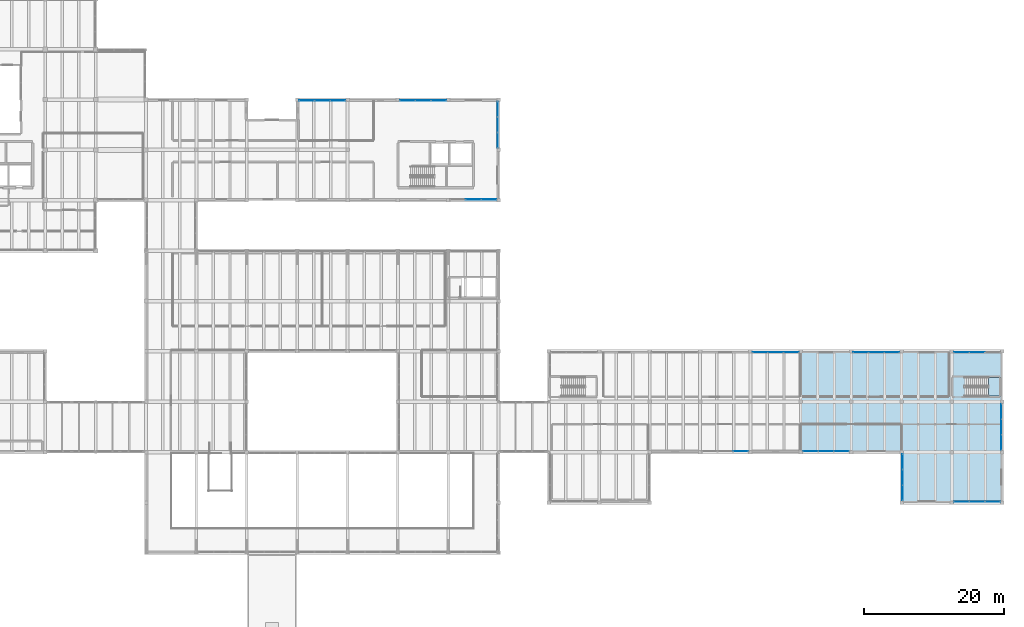
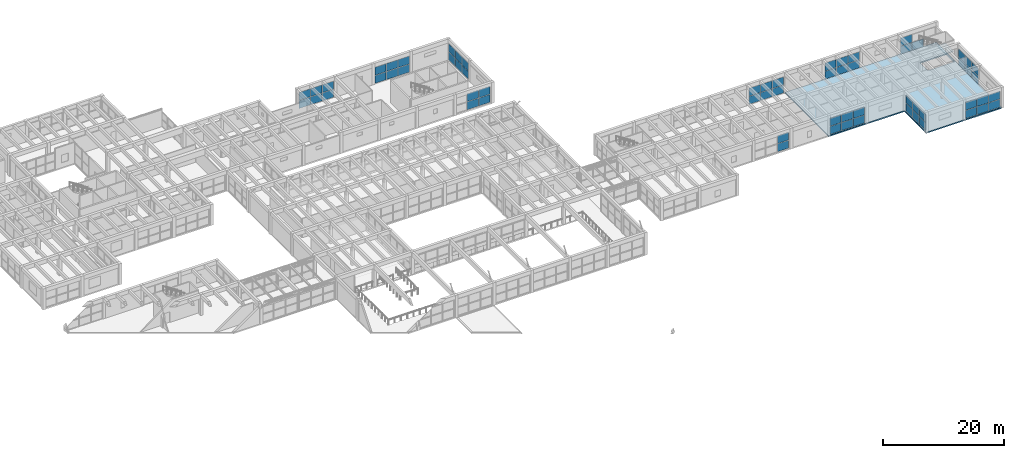
# One storey, part 124 of 153: 63 plates, 2 slabs, 13 elements without a shape of their own.
"""IFC4 building model written with IfcOpenShell, lengths in metres."""

from ifc_helpers import new_model, si_unit, direction, frame, origin, origin_2d, place, context, subcontext, project, spatial, polyline, rectangle, outline, extrude, material, layer, layer_set, type_object, element, aggregate, save


model = new_model("IFC4")

# Units and contexts
model_context = context("Model", 3, precision=1e-05, world=origin(), true_north=direction((0.0, 1.0)))
body_context = subcontext(model_context, "Body", "Model", "MODEL_VIEW")
ifc_project = project(units=[si_unit("LENGTHUNIT", "METRE"), si_unit("AREAUNIT", "SQUARE_METRE"), si_unit("VOLUMEUNIT", "CUBIC_METRE"), si_unit("PLANEANGLEUNIT", "RADIAN"), si_unit("MASSUNIT", "GRAM", prefix="KILO")], contexts=[model_context])

# Site, building, storey
site_placement = place(None, origin())
site = spatial("IfcSite", under=ifc_project, at=site_placement, CompositionType="ELEMENT")
building_placement = place(site_placement, origin())
building = spatial("IfcBuilding", under=site, at=building_placement, Name="Bramvelor Terrace Health Centre", CompositionType="ELEMENT")
storey_placement = place(building_placement, frame((0.0, 0.0, 4.800048828125)))
storey = spatial("IfcBuildingStorey", under=building, at=storey_placement, Name="L02", CompositionType="ELEMENT", Elevation=4.800048828125)

# Curtain wall, plates
ifc_material_1 = material(Name="Anodized aluminium and double low-E glass", Category="aluminium")
curtain_wall_type = type_object("IfcCurtainWallType", Name="CW-SYS-16", PredefinedType="NOTDEFINED", material=ifc_material_1)
curtain_wall_1_placement = place(storey_placement, origin())
curtain_wall_1 = element("IfcCurtainWall", 1, at=curtain_wall_1_placement, inside=storey, type_object=curtain_wall_type, Name="L02 Unitized Curtain Wall 86", PredefinedType="NOTDEFINED")
ifc_material_2 = material(Name="Double low-E laminated glass", Category="glass")
ifc_layer_1 = layer(ifc_material_2, 0.028076171875)
ifc_layer_set_1 = layer_set([ifc_layer_1], Name="Double low-E laminated glass")
plate_type = type_object("IfcPlateType", Name="CW-PNL-GLZ28", PredefinedType="CURTAIN_PANEL", material=ifc_layer_set_1)
plate_1_placement = place(storey_placement, frame((66.18212890625, 100.669921875, 0.06494140625), z_axis=(0.0, 0.0, 1.0), x_axis=(1.0, 0.0, 0.0)))
plate_1 = element("IfcPlate", 2, at=plate_1_placement, type_object=plate_type, Name="CW-16 panel 1.1", PredefinedType="CURTAIN_PANEL", context=body_context, shape_type="SweptSolid", body=[
    extrude(rectangle(XDim=2.124267578125, YDim=0.028076171875, at=origin_2d()), origin(), (0.0, 0.0, 1.0), 1.58251953125),
])
plate_2_placement = place(storey_placement, frame((66.18212890625, 100.669921875, 1.71240234375), z_axis=(0.0, 0.0, 1.0), x_axis=(1.0, 0.0, 0.0)))
plate_2 = element("IfcPlate", 3, at=plate_2_placement, type_object=plate_type, Name="CW-16 panel 1.2", PredefinedType="CURTAIN_PANEL", context=body_context, shape_type="SweptSolid", body=[
    extrude(rectangle(XDim=2.124267578125, YDim=0.028076171875, at=origin_2d()), origin(), (0.0, 0.0, 1.0), 1.58251953125),
])
plate_3_placement = place(storey_placement, frame((68.39990234375, 100.669921875, 0.06494140625), z_axis=(0.0, 0.0, 1.0), x_axis=(1.0, 0.0, 0.0)))
plate_3 = element("IfcPlate", 4, at=plate_3_placement, type_object=plate_type, Name="CW-16 panel 2.1", PredefinedType="CURTAIN_PANEL", context=body_context, shape_type="SweptSolid", body=[
    extrude(rectangle(XDim=2.16162109375, YDim=0.028076171875, at=origin_2d()), origin(), (0.0, 0.0, 1.0), 1.58251953125),
])
plate_4_placement = place(storey_placement, frame((68.39990234375, 100.669921875, 1.71240234375), z_axis=(0.0, 0.0, 1.0), x_axis=(1.0, 0.0, 0.0)))
plate_4 = element("IfcPlate", 5, at=plate_4_placement, type_object=plate_type, Name="CW-16 panel 2.2", PredefinedType="CURTAIN_PANEL", context=body_context, shape_type="SweptSolid", body=[
    extrude(rectangle(XDim=2.16162109375, YDim=0.028076171875, at=origin_2d()), origin(), (0.0, 0.0, 1.0), 1.58251953125),
])
plate_5_placement = place(storey_placement, frame((70.617919921875, 100.669921875, 0.06494140625), z_axis=(0.0, 0.0, 1.0), x_axis=(1.0, 0.0, 0.0)))
plate_5 = element("IfcPlate", 6, at=plate_5_placement, type_object=plate_type, Name="CW-16 panel 3.1", PredefinedType="CURTAIN_PANEL", context=body_context, shape_type="SweptSolid", body=[
    extrude(rectangle(XDim=2.124267578125, YDim=0.028076171875, at=origin_2d()), origin(), (0.0, 0.0, 1.0), 1.58251953125),
])
plate_6_placement = place(storey_placement, frame((70.617919921875, 100.669921875, 1.71240234375), z_axis=(0.0, 0.0, 1.0), x_axis=(1.0, 0.0, 0.0)))
plate_6 = element("IfcPlate", 7, at=plate_6_placement, type_object=plate_type, Name="CW-16 panel 3.2", PredefinedType="CURTAIN_PANEL", context=body_context, shape_type="SweptSolid", body=[
    extrude(rectangle(XDim=2.124267578125, YDim=0.028076171875, at=origin_2d()), origin(), (0.0, 0.0, 1.0), 1.58251953125),
])
aggregate(curtain_wall_1, [plate_1, plate_2, plate_3, plate_4, plate_5, plate_6])

curtain_wall_2_placement = place(storey_placement, origin())
curtain_wall_2 = element("IfcCurtainWall", 8, at=curtain_wall_2_placement, inside=storey, type_object=curtain_wall_type, Name="L02 Unitized Curtain Wall 87", PredefinedType="NOTDEFINED")
plate_7_placement = place(storey_placement, frame((80.58203125, 100.669921875, 0.06494140625), z_axis=(0.0, 0.0, 1.0), x_axis=(1.0, 0.0, 0.0)))
plate_7 = element("IfcPlate", 9, at=plate_7_placement, type_object=plate_type, Name="CW-16 panel 1.1", PredefinedType="CURTAIN_PANEL", context=body_context, shape_type="SweptSolid", body=[
    extrude(rectangle(XDim=2.124267578125, YDim=0.028076171875, at=origin_2d()), origin(), (0.0, 0.0, 1.0), 1.58251953125),
])
plate_8_placement = place(storey_placement, frame((80.58203125, 100.669921875, 1.71240234375), z_axis=(0.0, 0.0, 1.0), x_axis=(1.0, 0.0, 0.0)))
plate_8 = element("IfcPlate", 10, at=plate_8_placement, type_object=plate_type, Name="CW-16 panel 1.2", PredefinedType="CURTAIN_PANEL", context=body_context, shape_type="SweptSolid", body=[
    extrude(rectangle(XDim=2.124267578125, YDim=0.028076171875, at=origin_2d()), origin(), (0.0, 0.0, 1.0), 1.58251953125),
])
plate_9_placement = place(storey_placement, frame((82.800048828125, 100.669921875, 0.06494140625), z_axis=(0.0, 0.0, 1.0), x_axis=(1.0, 0.0, 0.0)))
plate_9 = element("IfcPlate", 11, at=plate_9_placement, type_object=plate_type, Name="CW-16 panel 2.1", PredefinedType="CURTAIN_PANEL", context=body_context, shape_type="SweptSolid", body=[
    extrude(rectangle(XDim=2.16162109375, YDim=0.028076171875, at=origin_2d()), origin(), (0.0, 0.0, 1.0), 1.58251953125),
])
plate_10_placement = place(storey_placement, frame((82.800048828125, 100.669921875, 1.71240234375), z_axis=(0.0, 0.0, 1.0), x_axis=(1.0, 0.0, 0.0)))
plate_10 = element("IfcPlate", 12, at=plate_10_placement, type_object=plate_type, Name="CW-16 panel 2.2", PredefinedType="CURTAIN_PANEL", context=body_context, shape_type="SweptSolid", body=[
    extrude(rectangle(XDim=2.16162109375, YDim=0.028076171875, at=origin_2d()), origin(), (0.0, 0.0, 1.0), 1.58251953125),
])
plate_11_placement = place(storey_placement, frame((85.017822265625, 100.669921875, 0.06494140625), z_axis=(0.0, 0.0, 1.0), x_axis=(1.0, 0.0, 0.0)))
plate_11 = element("IfcPlate", 13, at=plate_11_placement, type_object=plate_type, Name="CW-16 panel 3.1", PredefinedType="CURTAIN_PANEL", context=body_context, shape_type="SweptSolid", body=[
    extrude(rectangle(XDim=2.124267578125, YDim=0.028076171875, at=origin_2d()), origin(), (0.0, 0.0, 1.0), 1.58251953125),
])
plate_12_placement = place(storey_placement, frame((85.017822265625, 100.669921875, 1.71240234375), z_axis=(0.0, 0.0, 1.0), x_axis=(1.0, 0.0, 0.0)))
plate_12 = element("IfcPlate", 14, at=plate_12_placement, type_object=plate_type, Name="CW-16 panel 3.2", PredefinedType="CURTAIN_PANEL", context=body_context, shape_type="SweptSolid", body=[
    extrude(rectangle(XDim=2.124267578125, YDim=0.028076171875, at=origin_2d()), origin(), (0.0, 0.0, 1.0), 1.58251953125),
])
aggregate(curtain_wall_2, [plate_7, plate_8, plate_9, plate_10, plate_11, plate_12])

curtain_wall_3_placement = place(storey_placement, origin())
curtain_wall_3 = element("IfcCurtainWall", 15, at=curtain_wall_3_placement, inside=storey, type_object=curtain_wall_type, Name="L02 Unitized Curtain Wall 88", PredefinedType="NOTDEFINED")
plate_13_placement = place(storey_placement, frame((93.469970703125, 99.41796875, 0.06494140625), z_axis=(0.0, 0.0, 1.0), x_axis=(0.0, -1.0, 0.0)))
plate_13 = element("IfcPlate", 16, at=plate_13_placement, type_object=plate_type, Name="CW-16 panel 1.1", PredefinedType="CURTAIN_PANEL", context=body_context, shape_type="SweptSolid", body=[
    extrude(rectangle(XDim=2.124267578125, YDim=0.028076171875, at=origin_2d()), origin(), (0.0, 0.0, 1.0), 1.58251953125),
])
plate_14_placement = place(storey_placement, frame((93.469970703125, 99.41796875, 1.71240234375), z_axis=(0.0, 0.0, 1.0), x_axis=(0.0, -1.0, 0.0)))
plate_14 = element("IfcPlate", 17, at=plate_14_placement, type_object=plate_type, Name="CW-16 panel 1.2", PredefinedType="CURTAIN_PANEL", context=body_context, shape_type="SweptSolid", body=[
    extrude(rectangle(XDim=2.124267578125, YDim=0.028076171875, at=origin_2d()), origin(), (0.0, 0.0, 1.0), 1.58251953125),
])
plate_15_placement = place(storey_placement, frame((93.469970703125, 97.199951171875, 0.06494140625), z_axis=(0.0, 0.0, 1.0), x_axis=(0.0, -1.0, 0.0)))
plate_15 = element("IfcPlate", 18, at=plate_15_placement, type_object=plate_type, Name="CW-16 panel 2.1", PredefinedType="CURTAIN_PANEL", context=body_context, shape_type="SweptSolid", body=[
    extrude(rectangle(XDim=2.16162109375, YDim=0.028076171875, at=origin_2d()), origin(), (0.0, 0.0, 1.0), 1.58251953125),
])
plate_16_placement = place(storey_placement, frame((93.469970703125, 97.199951171875, 1.71240234375), z_axis=(0.0, 0.0, 1.0), x_axis=(0.0, -1.0, 0.0)))
plate_16 = element("IfcPlate", 19, at=plate_16_placement, type_object=plate_type, Name="CW-16 panel 2.2", PredefinedType="CURTAIN_PANEL", context=body_context, shape_type="SweptSolid", body=[
    extrude(rectangle(XDim=2.16162109375, YDim=0.028076171875, at=origin_2d()), origin(), (0.0, 0.0, 1.0), 1.58251953125),
])
plate_17_placement = place(storey_placement, frame((93.469970703125, 94.982177734375, 0.06494140625), z_axis=(0.0, 0.0, 1.0), x_axis=(0.0, -1.0, 0.0)))
plate_17 = element("IfcPlate", 20, at=plate_17_placement, type_object=plate_type, Name="CW-16 panel 3.1", PredefinedType="CURTAIN_PANEL", context=body_context, shape_type="SweptSolid", body=[
    extrude(rectangle(XDim=2.124267578125, YDim=0.028076171875, at=origin_2d()), origin(), (0.0, 0.0, 1.0), 1.58251953125),
])
plate_18_placement = place(storey_placement, frame((93.469970703125, 94.982177734375, 1.71240234375), z_axis=(0.0, 0.0, 1.0), x_axis=(0.0, -1.0, 0.0)))
plate_18 = element("IfcPlate", 21, at=plate_18_placement, type_object=plate_type, Name="CW-16 panel 3.2", PredefinedType="CURTAIN_PANEL", context=body_context, shape_type="SweptSolid", body=[
    extrude(rectangle(XDim=2.124267578125, YDim=0.028076171875, at=origin_2d()), origin(), (0.0, 0.0, 1.0), 1.58251953125),
])
aggregate(curtain_wall_3, [plate_13, plate_14, plate_15, plate_16, plate_17, plate_18])

curtain_wall_4_placement = place(storey_placement, origin())
curtain_wall_4 = element("IfcCurtainWall", 22, at=curtain_wall_4_placement, inside=storey, type_object=curtain_wall_type, Name="L02 Unitized Curtain Wall 89", PredefinedType="NOTDEFINED")
plate_19_placement = place(storey_placement, frame((92.218017578125, 86.530029296875, 0.06494140625), z_axis=(0.0, 0.0, 1.0), x_axis=(-1.0, 0.0, 0.0)))
plate_19 = element("IfcPlate", 23, at=plate_19_placement, type_object=plate_type, Name="CW-16 panel 1.1", PredefinedType="CURTAIN_PANEL", context=body_context, shape_type="SweptSolid", body=[
    extrude(rectangle(XDim=2.124267578125, YDim=0.028076171875, at=origin_2d()), origin(), (0.0, 0.0, 1.0), 1.58251953125),
])
plate_20_placement = place(storey_placement, frame((92.218017578125, 86.530029296875, 1.71240234375), z_axis=(0.0, 0.0, 1.0), x_axis=(-1.0, 0.0, 0.0)))
plate_20 = element("IfcPlate", 24, at=plate_20_placement, type_object=plate_type, Name="CW-16 panel 1.2", PredefinedType="CURTAIN_PANEL", context=body_context, shape_type="SweptSolid", body=[
    extrude(rectangle(XDim=2.124267578125, YDim=0.028076171875, at=origin_2d()), origin(), (0.0, 0.0, 1.0), 1.58251953125),
])
plate_21_placement = place(storey_placement, frame((90.0, 86.530029296875, 0.06494140625), z_axis=(0.0, 0.0, 1.0), x_axis=(-1.0, 0.0, 0.0)))
plate_21 = element("IfcPlate", 25, at=plate_21_placement, type_object=plate_type, Name="CW-16 panel 2.1", PredefinedType="CURTAIN_PANEL", context=body_context, shape_type="SweptSolid", body=[
    extrude(rectangle(XDim=2.16162109375, YDim=0.028076171875, at=origin_2d()), origin(), (0.0, 0.0, 1.0), 1.58251953125),
])
plate_22_placement = place(storey_placement, frame((90.0, 86.530029296875, 1.71240234375), z_axis=(0.0, 0.0, 1.0), x_axis=(-1.0, 0.0, 0.0)))
plate_22 = element("IfcPlate", 26, at=plate_22_placement, type_object=plate_type, Name="CW-16 panel 2.2", PredefinedType="CURTAIN_PANEL", context=body_context, shape_type="SweptSolid", body=[
    extrude(rectangle(XDim=2.16162109375, YDim=0.028076171875, at=origin_2d()), origin(), (0.0, 0.0, 1.0), 1.58251953125),
])
aggregate(curtain_wall_4, [plate_19, plate_20, plate_21, plate_22])

curtain_wall_5_placement = place(storey_placement, origin())
curtain_wall_5 = element("IfcCurtainWall", 27, at=curtain_wall_5_placement, inside=storey, type_object=curtain_wall_type, Name="L02 Unitized Curtain Wall 103", PredefinedType="NOTDEFINED")
plate_23_placement = place(storey_placement, frame((130.982177734375, 64.669921875, 0.06494140625), z_axis=(0.0, 0.0, 1.0), x_axis=(1.0, 0.0, 0.0)))
plate_23 = element("IfcPlate", 28, at=plate_23_placement, type_object=plate_type, Name="CW-16 panel 1.1", PredefinedType="CURTAIN_PANEL", context=body_context, shape_type="SweptSolid", body=[
    extrude(rectangle(XDim=2.124267578125, YDim=0.028076171875, at=origin_2d()), origin(), (0.0, 0.0, 1.0), 1.58251953125),
])
plate_24_placement = place(storey_placement, frame((130.982177734375, 64.669921875, 1.71240234375), z_axis=(0.0, 0.0, 1.0), x_axis=(1.0, 0.0, 0.0)))
plate_24 = element("IfcPlate", 29, at=plate_24_placement, type_object=plate_type, Name="CW-16 panel 1.2", PredefinedType="CURTAIN_PANEL", context=body_context, shape_type="SweptSolid", body=[
    extrude(rectangle(XDim=2.124267578125, YDim=0.028076171875, at=origin_2d()), origin(), (0.0, 0.0, 1.0), 1.58251953125),
])
plate_25_placement = place(storey_placement, frame((133.199951171875, 64.669921875, 0.06494140625), z_axis=(0.0, 0.0, 1.0), x_axis=(1.0, 0.0, 0.0)))
plate_25 = element("IfcPlate", 30, at=plate_25_placement, type_object=plate_type, Name="CW-16 panel 2.1", PredefinedType="CURTAIN_PANEL", context=body_context, shape_type="SweptSolid", body=[
    extrude(rectangle(XDim=2.16162109375, YDim=0.028076171875, at=origin_2d()), origin(), (0.0, 0.0, 1.0), 1.58251953125),
])
plate_26_placement = place(storey_placement, frame((133.199951171875, 64.669921875, 1.71240234375), z_axis=(0.0, 0.0, 1.0), x_axis=(1.0, 0.0, 0.0)))
plate_26 = element("IfcPlate", 31, at=plate_26_placement, type_object=plate_type, Name="CW-16 panel 2.2", PredefinedType="CURTAIN_PANEL", context=body_context, shape_type="SweptSolid", body=[
    extrude(rectangle(XDim=2.16162109375, YDim=0.028076171875, at=origin_2d()), origin(), (0.0, 0.0, 1.0), 1.58251953125),
])
plate_27_placement = place(storey_placement, frame((135.41796875, 64.669921875, 0.06494140625), z_axis=(0.0, 0.0, 1.0), x_axis=(1.0, 0.0, 0.0)))
plate_27 = element("IfcPlate", 32, at=plate_27_placement, type_object=plate_type, Name="CW-16 panel 3.1", PredefinedType="CURTAIN_PANEL", context=body_context, shape_type="SweptSolid", body=[
    extrude(rectangle(XDim=2.124267578125, YDim=0.028076171875, at=origin_2d()), origin(), (0.0, 0.0, 1.0), 1.58251953125),
])
plate_28_placement = place(storey_placement, frame((135.41796875, 64.669921875, 1.71240234375), z_axis=(0.0, 0.0, 1.0), x_axis=(1.0, 0.0, 0.0)))
plate_28 = element("IfcPlate", 33, at=plate_28_placement, type_object=plate_type, Name="CW-16 panel 3.2", PredefinedType="CURTAIN_PANEL", context=body_context, shape_type="SweptSolid", body=[
    extrude(rectangle(XDim=2.124267578125, YDim=0.028076171875, at=origin_2d()), origin(), (0.0, 0.0, 1.0), 1.58251953125),
])
aggregate(curtain_wall_5, [plate_23, plate_24, plate_25, plate_26, plate_27, plate_28])

curtain_wall_6_placement = place(storey_placement, origin())
curtain_wall_6 = element("IfcCurtainWall", 34, at=curtain_wall_6_placement, inside=storey, type_object=curtain_wall_type, Name="L02 Unitized Curtain Wall 104", PredefinedType="NOTDEFINED")
plate_29_placement = place(storey_placement, frame((145.382080078125, 64.669921875, 0.06494140625), z_axis=(0.0, 0.0, 1.0), x_axis=(1.0, 0.0, 0.0)))
plate_29 = element("IfcPlate", 35, at=plate_29_placement, type_object=plate_type, Name="CW-16 panel 1.1", PredefinedType="CURTAIN_PANEL", context=body_context, shape_type="SweptSolid", body=[
    extrude(rectangle(XDim=2.124267578125, YDim=0.028076171875, at=origin_2d()), origin(), (0.0, 0.0, 1.0), 1.58251953125),
])
plate_30_placement = place(storey_placement, frame((145.382080078125, 64.669921875, 1.71240234375), z_axis=(0.0, 0.0, 1.0), x_axis=(1.0, 0.0, 0.0)))
plate_30 = element("IfcPlate", 36, at=plate_30_placement, type_object=plate_type, Name="CW-16 panel 1.2", PredefinedType="CURTAIN_PANEL", context=body_context, shape_type="SweptSolid", body=[
    extrude(rectangle(XDim=2.124267578125, YDim=0.028076171875, at=origin_2d()), origin(), (0.0, 0.0, 1.0), 1.58251953125),
])
plate_31_placement = place(storey_placement, frame((147.60009765625, 64.669921875, 0.06494140625), z_axis=(0.0, 0.0, 1.0), x_axis=(1.0, 0.0, 0.0)))
plate_31 = element("IfcPlate", 37, at=plate_31_placement, type_object=plate_type, Name="CW-16 panel 2.1", PredefinedType="CURTAIN_PANEL", context=body_context, shape_type="SweptSolid", body=[
    extrude(rectangle(XDim=2.16162109375, YDim=0.028076171875, at=origin_2d()), origin(), (0.0, 0.0, 1.0), 1.58251953125),
])
plate_32_placement = place(storey_placement, frame((147.60009765625, 64.669921875, 1.71240234375), z_axis=(0.0, 0.0, 1.0), x_axis=(1.0, 0.0, 0.0)))
plate_32 = element("IfcPlate", 38, at=plate_32_placement, type_object=plate_type, Name="CW-16 panel 2.2", PredefinedType="CURTAIN_PANEL", context=body_context, shape_type="SweptSolid", body=[
    extrude(rectangle(XDim=2.16162109375, YDim=0.028076171875, at=origin_2d()), origin(), (0.0, 0.0, 1.0), 1.58251953125),
])
plate_33_placement = place(storey_placement, frame((149.81787109375, 64.669921875, 0.06494140625), z_axis=(0.0, 0.0, 1.0), x_axis=(1.0, 0.0, 0.0)))
plate_33 = element("IfcPlate", 39, at=plate_33_placement, type_object=plate_type, Name="CW-16 panel 3.1", PredefinedType="CURTAIN_PANEL", context=body_context, shape_type="SweptSolid", body=[
    extrude(rectangle(XDim=2.124267578125, YDim=0.028076171875, at=origin_2d()), origin(), (0.0, 0.0, 1.0), 1.58251953125),
])
plate_34_placement = place(storey_placement, frame((149.81787109375, 64.669921875, 1.71240234375), z_axis=(0.0, 0.0, 1.0), x_axis=(1.0, 0.0, 0.0)))
plate_34 = element("IfcPlate", 40, at=plate_34_placement, type_object=plate_type, Name="CW-16 panel 3.2", PredefinedType="CURTAIN_PANEL", context=body_context, shape_type="SweptSolid", body=[
    extrude(rectangle(XDim=2.124267578125, YDim=0.028076171875, at=origin_2d()), origin(), (0.0, 0.0, 1.0), 1.58251953125),
])
aggregate(curtain_wall_6, [plate_29, plate_30, plate_31, plate_32, plate_33, plate_34])

curtain_wall_7_placement = place(storey_placement, origin())
curtain_wall_7 = element("IfcCurtainWall", 41, at=curtain_wall_7_placement, inside=storey, type_object=curtain_wall_type, Name="L02 Unitized Curtain Wall 105", PredefinedType="NOTDEFINED")
plate_35_placement = place(storey_placement, frame((159.781982421875, 64.669921875, 0.06494140625), z_axis=(0.0, 0.0, 1.0), x_axis=(1.0, 0.0, 0.0)))
plate_35 = element("IfcPlate", 42, at=plate_35_placement, type_object=plate_type, Name="CW-16 panel 1.1", PredefinedType="CURTAIN_PANEL", context=body_context, shape_type="SweptSolid", body=[
    extrude(rectangle(XDim=2.124267578125, YDim=0.028076171875, at=origin_2d()), origin(), (0.0, 0.0, 1.0), 1.58251953125),
])
plate_36_placement = place(storey_placement, frame((159.781982421875, 64.669921875, 1.71240234375), z_axis=(0.0, 0.0, 1.0), x_axis=(1.0, 0.0, 0.0)))
plate_36 = element("IfcPlate", 43, at=plate_36_placement, type_object=plate_type, Name="CW-16 panel 1.2", PredefinedType="CURTAIN_PANEL", context=body_context, shape_type="SweptSolid", body=[
    extrude(rectangle(XDim=2.124267578125, YDim=0.028076171875, at=origin_2d()), origin(), (0.0, 0.0, 1.0), 1.58251953125),
])
plate_37_placement = place(storey_placement, frame((162.0, 64.669921875, 0.06494140625), z_axis=(0.0, 0.0, 1.0), x_axis=(1.0, 0.0, 0.0)))
plate_37 = element("IfcPlate", 44, at=plate_37_placement, type_object=plate_type, Name="CW-16 panel 2.1", PredefinedType="CURTAIN_PANEL", context=body_context, shape_type="SweptSolid", body=[
    extrude(rectangle(XDim=2.16162109375, YDim=0.028076171875, at=origin_2d()), origin(), (0.0, 0.0, 1.0), 1.58251953125),
])
aggregate(curtain_wall_7, [plate_35, plate_36, plate_37])

curtain_wall_8_placement = place(storey_placement, origin())
curtain_wall_8 = element("IfcCurtainWall", 45, at=curtain_wall_8_placement, inside=storey, type_object=curtain_wall_type, Name="L02 Unitized Curtain Wall 106", PredefinedType="NOTDEFINED")
plate_38_placement = place(storey_placement, frame((165.469970703125, 56.218017578125, 0.06494140625), z_axis=(0.0, 0.0, 1.0), x_axis=(0.0, -1.0, 0.0)))
plate_38 = element("IfcPlate", 46, at=plate_38_placement, type_object=plate_type, Name="CW-16 panel 1.1", PredefinedType="CURTAIN_PANEL", context=body_context, shape_type="SweptSolid", body=[
    extrude(rectangle(XDim=2.124267578125, YDim=0.028076171875, at=origin_2d()), origin(), (0.0, 0.0, 1.0), 1.58251953125),
])
plate_39_placement = place(storey_placement, frame((165.469970703125, 56.218017578125, 1.71240234375), z_axis=(0.0, 0.0, 1.0), x_axis=(0.0, -1.0, 0.0)))
plate_39 = element("IfcPlate", 47, at=plate_39_placement, type_object=plate_type, Name="CW-16 panel 1.2", PredefinedType="CURTAIN_PANEL", context=body_context, shape_type="SweptSolid", body=[
    extrude(rectangle(XDim=2.124267578125, YDim=0.028076171875, at=origin_2d()), origin(), (0.0, 0.0, 1.0), 1.58251953125),
])
plate_40_placement = place(storey_placement, frame((165.469970703125, 54.0, 0.06494140625), z_axis=(0.0, 0.0, 1.0), x_axis=(0.0, -1.0, 0.0)))
plate_40 = element("IfcPlate", 48, at=plate_40_placement, type_object=plate_type, Name="CW-16 panel 2.1", PredefinedType="CURTAIN_PANEL", context=body_context, shape_type="SweptSolid", body=[
    extrude(rectangle(XDim=2.16162109375, YDim=0.028076171875, at=origin_2d()), origin(), (0.0, 0.0, 1.0), 1.58251953125),
])
plate_41_placement = place(storey_placement, frame((165.469970703125, 54.0, 1.71240234375), z_axis=(0.0, 0.0, 1.0), x_axis=(0.0, -1.0, 0.0)))
plate_41 = element("IfcPlate", 49, at=plate_41_placement, type_object=plate_type, Name="CW-16 panel 2.2", PredefinedType="CURTAIN_PANEL", context=body_context, shape_type="SweptSolid", body=[
    extrude(rectangle(XDim=2.16162109375, YDim=0.028076171875, at=origin_2d()), origin(), (0.0, 0.0, 1.0), 1.58251953125),
])
plate_42_placement = place(storey_placement, frame((165.469970703125, 51.781982421875, 0.06494140625), z_axis=(0.0, 0.0, 1.0), x_axis=(0.0, -1.0, 0.0)))
plate_42 = element("IfcPlate", 50, at=plate_42_placement, type_object=plate_type, Name="CW-16 panel 3.1", PredefinedType="CURTAIN_PANEL", context=body_context, shape_type="SweptSolid", body=[
    extrude(rectangle(XDim=2.124267578125, YDim=0.028076171875, at=origin_2d()), origin(), (0.0, 0.0, 1.0), 1.58251953125),
])
plate_43_placement = place(storey_placement, frame((165.469970703125, 51.781982421875, 1.71240234375), z_axis=(0.0, 0.0, 1.0), x_axis=(0.0, -1.0, 0.0)))
plate_43 = element("IfcPlate", 51, at=plate_43_placement, type_object=plate_type, Name="CW-16 panel 3.2", PredefinedType="CURTAIN_PANEL", context=body_context, shape_type="SweptSolid", body=[
    extrude(rectangle(XDim=2.124267578125, YDim=0.028076171875, at=origin_2d()), origin(), (0.0, 0.0, 1.0), 1.58251953125),
])
aggregate(curtain_wall_8, [plate_38, plate_39, plate_40, plate_41, plate_42, plate_43])

curtain_wall_9_placement = place(storey_placement, origin())
curtain_wall_9 = element("IfcCurtainWall", 52, at=curtain_wall_9_placement, inside=storey, type_object=curtain_wall_type, Name="L02 Unitized Curtain Wall 107", PredefinedType="NOTDEFINED")
plate_44_placement = place(storey_placement, frame((164.218017578125, 43.330078125, 0.06494140625), z_axis=(0.0, 0.0, 1.0), x_axis=(-1.0, 0.0, 0.0)))
plate_44 = element("IfcPlate", 53, at=plate_44_placement, type_object=plate_type, Name="CW-16 panel 1.1", PredefinedType="CURTAIN_PANEL", context=body_context, shape_type="SweptSolid", body=[
    extrude(rectangle(XDim=2.124267578125, YDim=0.028076171875, at=origin_2d()), origin(), (0.0, 0.0, 1.0), 1.58251953125),
])
plate_45_placement = place(storey_placement, frame((164.218017578125, 43.330078125, 1.71240234375), z_axis=(0.0, 0.0, 1.0), x_axis=(-1.0, 0.0, 0.0)))
plate_45 = element("IfcPlate", 54, at=plate_45_placement, type_object=plate_type, Name="CW-16 panel 1.2", PredefinedType="CURTAIN_PANEL", context=body_context, shape_type="SweptSolid", body=[
    extrude(rectangle(XDim=2.124267578125, YDim=0.028076171875, at=origin_2d()), origin(), (0.0, 0.0, 1.0), 1.58251953125),
])
plate_46_placement = place(storey_placement, frame((162.0, 43.330078125, 0.06494140625), z_axis=(0.0, 0.0, 1.0), x_axis=(-1.0, 0.0, 0.0)))
plate_46 = element("IfcPlate", 55, at=plate_46_placement, type_object=plate_type, Name="CW-16 panel 2.1", PredefinedType="CURTAIN_PANEL", context=body_context, shape_type="SweptSolid", body=[
    extrude(rectangle(XDim=2.16162109375, YDim=0.028076171875, at=origin_2d()), origin(), (0.0, 0.0, 1.0), 1.58251953125),
])
plate_47_placement = place(storey_placement, frame((162.0, 43.330078125, 1.71240234375), z_axis=(0.0, 0.0, 1.0), x_axis=(-1.0, 0.0, 0.0)))
plate_47 = element("IfcPlate", 56, at=plate_47_placement, type_object=plate_type, Name="CW-16 panel 2.2", PredefinedType="CURTAIN_PANEL", context=body_context, shape_type="SweptSolid", body=[
    extrude(rectangle(XDim=2.16162109375, YDim=0.028076171875, at=origin_2d()), origin(), (0.0, 0.0, 1.0), 1.58251953125),
])
plate_48_placement = place(storey_placement, frame((159.781982421875, 43.330078125, 0.06494140625), z_axis=(0.0, 0.0, 1.0), x_axis=(-1.0, 0.0, 0.0)))
plate_48 = element("IfcPlate", 57, at=plate_48_placement, type_object=plate_type, Name="CW-16 panel 3.1", PredefinedType="CURTAIN_PANEL", context=body_context, shape_type="SweptSolid", body=[
    extrude(rectangle(XDim=2.124267578125, YDim=0.028076171875, at=origin_2d()), origin(), (0.0, 0.0, 1.0), 1.58251953125),
])
plate_49_placement = place(storey_placement, frame((159.781982421875, 43.330078125, 1.71240234375), z_axis=(0.0, 0.0, 1.0), x_axis=(-1.0, 0.0, 0.0)))
plate_49 = element("IfcPlate", 58, at=plate_49_placement, type_object=plate_type, Name="CW-16 panel 3.2", PredefinedType="CURTAIN_PANEL", context=body_context, shape_type="SweptSolid", body=[
    extrude(rectangle(XDim=2.124267578125, YDim=0.028076171875, at=origin_2d()), origin(), (0.0, 0.0, 1.0), 1.58251953125),
])
aggregate(curtain_wall_9, [plate_44, plate_45, plate_46, plate_47, plate_48, plate_49])

curtain_wall_10_placement = place(storey_placement, origin())
curtain_wall_10 = element("IfcCurtainWall", 59, at=curtain_wall_10_placement, inside=storey, type_object=curtain_wall_type, Name="L02 Unitized Curtain Wall 108", PredefinedType="NOTDEFINED")
plate_50_placement = place(storey_placement, frame((151.330078125, 44.58203125, 0.06494140625), z_axis=(0.0, 0.0, 1.0), x_axis=(0.0, 1.0, 0.0)))
plate_50 = element("IfcPlate", 60, at=plate_50_placement, type_object=plate_type, Name="CW-16 panel 1.1", PredefinedType="CURTAIN_PANEL", context=body_context, shape_type="SweptSolid", body=[
    extrude(rectangle(XDim=2.124267578125, YDim=0.028076171875, at=origin_2d()), origin(), (0.0, 0.0, 1.0), 1.58251953125),
])
plate_51_placement = place(storey_placement, frame((151.330078125, 44.58203125, 1.71240234375), z_axis=(0.0, 0.0, 1.0), x_axis=(0.0, 1.0, 0.0)))
plate_51 = element("IfcPlate", 61, at=plate_51_placement, type_object=plate_type, Name="CW-16 panel 1.2", PredefinedType="CURTAIN_PANEL", context=body_context, shape_type="SweptSolid", body=[
    extrude(rectangle(XDim=2.124267578125, YDim=0.028076171875, at=origin_2d()), origin(), (0.0, 0.0, 1.0), 1.58251953125),
])
plate_52_placement = place(storey_placement, frame((151.330078125, 46.800048828125, 0.06494140625), z_axis=(0.0, 0.0, 1.0), x_axis=(0.0, 1.0, 0.0)))
plate_52 = element("IfcPlate", 62, at=plate_52_placement, type_object=plate_type, Name="CW-16 panel 2.1", PredefinedType="CURTAIN_PANEL", context=body_context, shape_type="SweptSolid", body=[
    extrude(rectangle(XDim=2.16162109375, YDim=0.028076171875, at=origin_2d()), origin(), (0.0, 0.0, 1.0), 1.58251953125),
])
plate_53_placement = place(storey_placement, frame((151.330078125, 46.800048828125, 1.71240234375), z_axis=(0.0, 0.0, 1.0), x_axis=(0.0, 1.0, 0.0)))
plate_53 = element("IfcPlate", 63, at=plate_53_placement, type_object=plate_type, Name="CW-16 panel 2.2", PredefinedType="CURTAIN_PANEL", context=body_context, shape_type="SweptSolid", body=[
    extrude(rectangle(XDim=2.16162109375, YDim=0.028076171875, at=origin_2d()), origin(), (0.0, 0.0, 1.0), 1.58251953125),
])
plate_54_placement = place(storey_placement, frame((151.330078125, 49.017822265625, 0.06494140625), z_axis=(0.0, 0.0, 1.0), x_axis=(0.0, 1.0, 0.0)))
plate_54 = element("IfcPlate", 64, at=plate_54_placement, type_object=plate_type, Name="CW-16 panel 3.1", PredefinedType="CURTAIN_PANEL", context=body_context, shape_type="SweptSolid", body=[
    extrude(rectangle(XDim=2.124267578125, YDim=0.028076171875, at=origin_2d()), origin(), (0.0, 0.0, 1.0), 1.58251953125),
])
plate_55_placement = place(storey_placement, frame((151.330078125, 49.017822265625, 1.71240234375), z_axis=(0.0, 0.0, 1.0), x_axis=(0.0, 1.0, 0.0)))
plate_55 = element("IfcPlate", 65, at=plate_55_placement, type_object=plate_type, Name="CW-16 panel 3.2", PredefinedType="CURTAIN_PANEL", context=body_context, shape_type="SweptSolid", body=[
    extrude(rectangle(XDim=2.124267578125, YDim=0.028076171875, at=origin_2d()), origin(), (0.0, 0.0, 1.0), 1.58251953125),
])
aggregate(curtain_wall_10, [plate_50, plate_51, plate_52, plate_53, plate_54, plate_55])

curtain_wall_11_placement = place(storey_placement, origin())
curtain_wall_11 = element("IfcCurtainWall", 66, at=curtain_wall_11_placement, inside=storey, type_object=curtain_wall_type, Name="L02 Unitized Curtain Wall 109", PredefinedType="NOTDEFINED")
plate_56_placement = place(storey_placement, frame((142.617919921875, 50.530029296875, 0.06494140625), z_axis=(0.0, 0.0, 1.0), x_axis=(-1.0, 0.0, 0.0)))
plate_56 = element("IfcPlate", 67, at=plate_56_placement, type_object=plate_type, Name="CW-16 panel 1.1", PredefinedType="CURTAIN_PANEL", context=body_context, shape_type="SweptSolid", body=[
    extrude(rectangle(XDim=2.124267578125, YDim=0.028076171875, at=origin_2d()), origin(), (0.0, 0.0, 1.0), 1.58251953125),
])
plate_57_placement = place(storey_placement, frame((142.617919921875, 50.530029296875, 1.71240234375), z_axis=(0.0, 0.0, 1.0), x_axis=(-1.0, 0.0, 0.0)))
plate_57 = element("IfcPlate", 68, at=plate_57_placement, type_object=plate_type, Name="CW-16 panel 1.2", PredefinedType="CURTAIN_PANEL", context=body_context, shape_type="SweptSolid", body=[
    extrude(rectangle(XDim=2.124267578125, YDim=0.028076171875, at=origin_2d()), origin(), (0.0, 0.0, 1.0), 1.58251953125),
])
plate_58_placement = place(storey_placement, frame((140.39990234375, 50.530029296875, 0.06494140625), z_axis=(0.0, 0.0, 1.0), x_axis=(-1.0, 0.0, 0.0)))
plate_58 = element("IfcPlate", 69, at=plate_58_placement, type_object=plate_type, Name="CW-16 panel 2.1", PredefinedType="CURTAIN_PANEL", context=body_context, shape_type="SweptSolid", body=[
    extrude(rectangle(XDim=2.16162109375, YDim=0.028076171875, at=origin_2d()), origin(), (0.0, 0.0, 1.0), 1.58251953125),
])
plate_59_placement = place(storey_placement, frame((140.39990234375, 50.530029296875, 1.71240234375), z_axis=(0.0, 0.0, 1.0), x_axis=(-1.0, 0.0, 0.0)))
plate_59 = element("IfcPlate", 70, at=plate_59_placement, type_object=plate_type, Name="CW-16 panel 2.2", PredefinedType="CURTAIN_PANEL", context=body_context, shape_type="SweptSolid", body=[
    extrude(rectangle(XDim=2.16162109375, YDim=0.028076171875, at=origin_2d()), origin(), (0.0, 0.0, 1.0), 1.58251953125),
])
plate_60_placement = place(storey_placement, frame((138.18212890625, 50.530029296875, 0.06494140625), z_axis=(0.0, 0.0, 1.0), x_axis=(-1.0, 0.0, 0.0)))
plate_60 = element("IfcPlate", 71, at=plate_60_placement, type_object=plate_type, Name="CW-16 panel 3.1", PredefinedType="CURTAIN_PANEL", context=body_context, shape_type="SweptSolid", body=[
    extrude(rectangle(XDim=2.124267578125, YDim=0.028076171875, at=origin_2d()), origin(), (0.0, 0.0, 1.0), 1.58251953125),
])
plate_61_placement = place(storey_placement, frame((138.18212890625, 50.530029296875, 1.71240234375), z_axis=(0.0, 0.0, 1.0), x_axis=(-1.0, 0.0, 0.0)))
plate_61 = element("IfcPlate", 72, at=plate_61_placement, type_object=plate_type, Name="CW-16 panel 3.2", PredefinedType="CURTAIN_PANEL", context=body_context, shape_type="SweptSolid", body=[
    extrude(rectangle(XDim=2.124267578125, YDim=0.028076171875, at=origin_2d()), origin(), (0.0, 0.0, 1.0), 1.58251953125),
])
aggregate(curtain_wall_11, [plate_56, plate_57, plate_58, plate_59, plate_60, plate_61])

curtain_wall_12_placement = place(storey_placement, origin())
curtain_wall_12 = element("IfcCurtainWall", 73, at=curtain_wall_12_placement, inside=storey, type_object=curtain_wall_type, Name="L02 Unitized Curtain Wall 110", PredefinedType="NOTDEFINED")
plate_62_placement = place(storey_placement, frame((128.218017578125, 50.530029296875, 0.06494140625), z_axis=(0.0, 0.0, 1.0), x_axis=(-1.0, 0.0, 0.0)))
plate_62 = element("IfcPlate", 74, at=plate_62_placement, type_object=plate_type, Name="CW-16 panel 1.1", PredefinedType="CURTAIN_PANEL", context=body_context, shape_type="SweptSolid", body=[
    extrude(rectangle(XDim=2.124267578125, YDim=0.028076171875, at=origin_2d()), origin(), (0.0, 0.0, 1.0), 1.58251953125),
])
plate_63_placement = place(storey_placement, frame((128.218017578125, 50.530029296875, 1.71240234375), z_axis=(0.0, 0.0, 1.0), x_axis=(-1.0, 0.0, 0.0)))
plate_63 = element("IfcPlate", 75, at=plate_63_placement, type_object=plate_type, Name="CW-16 panel 1.2", PredefinedType="CURTAIN_PANEL", context=body_context, shape_type="SweptSolid", body=[
    extrude(rectangle(XDim=2.124267578125, YDim=0.028076171875, at=origin_2d()), origin(), (0.0, 0.0, 1.0), 1.58251953125),
])
aggregate(curtain_wall_12, [plate_62, plate_63])

# Slab
ifc_material_3 = material(Name="Concrete C40/50", Category="concrete")
ifc_layer_2 = layer(ifc_material_3, 0.239990234375)
ifc_layer_set_2 = layer_set([ifc_layer_2], Name="Concrete C40/50")
slab_type_1 = type_object("IfcSlabType", Name="SLB-FLR-RC240", PredefinedType="FLOOR", material=ifc_layer_set_2)
slab_1_placement = place(storey_placement, frame((0.0, 0.0, -0.239990234375)))
element("IfcSlab", 76, at=slab_1_placement, inside=storey, type_object=slab_type_1, Name="L02 V2_E Floor Slab", PredefinedType="FLOOR", context=body_context, shape_type="SweptSolid", body=[
    extrude(outline(polyline([(136.800048828125, 64.800048828125), (165.60009765625, 64.800048828125), (165.60009765625, 50.39990234375), (165.60009765625, 43.199951171875), (151.199951171875, 43.199951171875), (151.199951171875, 50.39990234375), (136.800048828125, 50.39990234375), (136.800048828125, 64.800048828125)]), holes=[polyline([(165.35009765625, 61.10009765625), (160.280029296875, 61.10009765625), (160.280029296875, 58.39990234375), (165.35009765625, 58.39990234375), (165.35009765625, 61.10009765625)])]), origin(), (0.0, 0.0, 1.0), 0.239990234375),
])

# Stair, slab
ifc_material_4 = material(Name="Concrete C40/50", Category="concrete")
stair_type = type_object("IfcStairType", Name="STR-SEC", PredefinedType="HALF_TURN_STAIR", material=ifc_material_4)
stair_placement = place(storey_placement, origin())
stair = element("IfcStair", 77, at=stair_placement, inside=storey, type_object=stair_type, Name="L02 East Day Surgery Exit Stair", PredefinedType="HALF_TURN_STAIR")
ifc_material_5 = material(Name="Concrete C40/50", Category="concrete")
ifc_layer_3 = layer(ifc_material_5, 0.199951171875)
ifc_layer_set_3 = layer_set([ifc_layer_3], Name="Concrete C40/50")
slab_type_2 = type_object("IfcSlabType", Name="SLB-LND-200", PredefinedType="LANDING", material=ifc_layer_set_3)
slab_2_placement = place(storey_placement, frame((0.0, 0.0, 2.050048828125)))
slab_2 = element("IfcSlab", 78, at=slab_2_placement, type_object=slab_type_2, Name="ST-7 landing 1", PredefinedType="LANDING", context=body_context, shape_type="SweptSolid", body=[
    extrude(outline(polyline([(163.639892578125, 58.39990234375), (165.175048828125, 58.39990234375), (165.175048828125, 61.10009765625), (163.639892578125, 61.10009765625), (163.639892578125, 58.39990234375)])), origin(), (0.0, 0.0, 1.0), 0.199951171875),
])
aggregate(stair, [slab_2])

save(model, "model.ifc")
